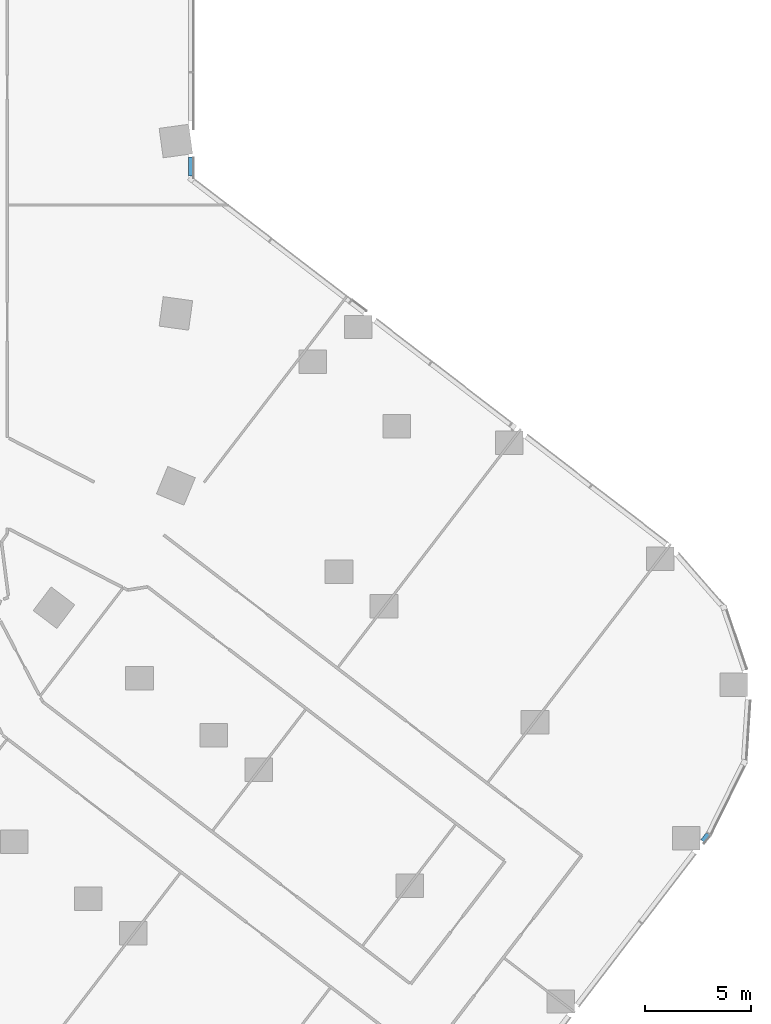
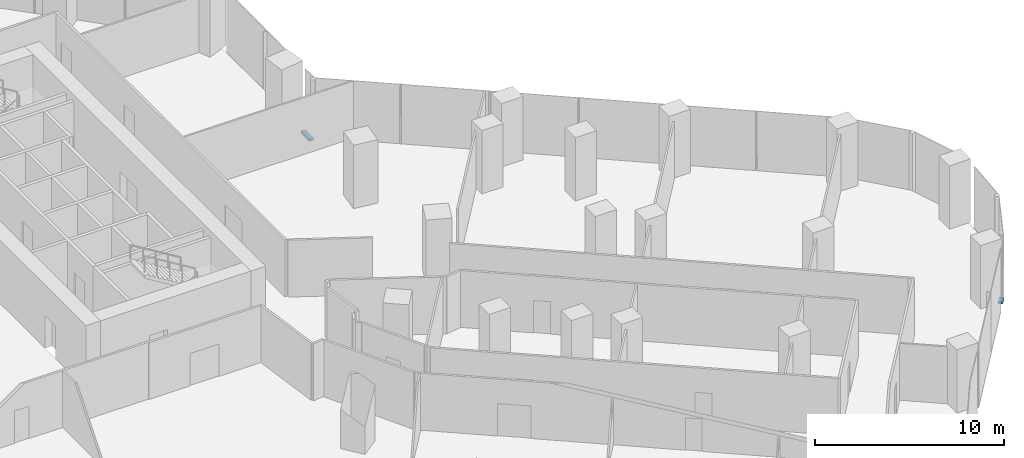
# One storey, part 13 of 29: 2 members, 2 elements without a shape of their own.
"""IFC4 building model written with IfcOpenShell, lengths in metres."""

from ifc_helpers import new_model, si_unit, direction, frame, origin, origin_2d, place, context, subcontext, project, spatial, rectangle, extrude, material, material_profile, profile_set, type_object, element, aggregate, save


model = new_model("IFC4")

# Units and contexts
model_context = context("Model", 3, precision=1e-05, world=origin(), true_north=direction((0.0, 1.0)))
body_context = subcontext(model_context, "Body", "Model", "MODEL_VIEW")
ifc_project = project(units=[si_unit("LENGTHUNIT", "METRE"), si_unit("AREAUNIT", "SQUARE_METRE"), si_unit("VOLUMEUNIT", "CUBIC_METRE"), si_unit("PLANEANGLEUNIT", "RADIAN"), si_unit("MASSUNIT", "GRAM", prefix="KILO")], contexts=[model_context])

# Site, building, storey
site_placement = place(None, origin())
site = spatial("IfcSite", under=ifc_project, at=site_placement, CompositionType="ELEMENT")
building_placement = place(site_placement, origin())
building = spatial("IfcBuilding", under=site, at=building_placement, Name="Orlundy Tower", CompositionType="ELEMENT")
storey_placement = place(building_placement, frame((0.0, 0.0, 25.10009765625)))
storey = spatial("IfcBuildingStorey", under=building, at=storey_placement, Name="L04", CompositionType="ELEMENT", Elevation=25.10009765625)

# Curtain wall, member
ifc_material_1 = material(Name="Aluminium bronze anodised", Category="aluminium")
curtain_wall_type = type_object("IfcCurtainWallType", Name="CW2 wall", PredefinedType="NOTDEFINED", material=ifc_material_1)
curtain_wall_1_placement = place(storey_placement, origin())
curtain_wall_1 = element("IfcCurtainWall", 1, at=curtain_wall_1_placement, inside=storey, type_object=curtain_wall_type, Name="CW2 run 017", PredefinedType="NOTDEFINED")
ifc_material_2 = material(Name="Aluminium bronze anodised", Category="aluminium")
ifc_material_profile = material_profile(ifc_material_2, rectangle(XDim=0.25, YDim=0.14990234375, at=origin_2d()), Name="CW2 transom 250x150")
ifc_profile_set = profile_set([ifc_material_profile], Name="Aluminium bronze anodised")
member_type = type_object("IfcMemberType", Name="CW2 transom 250x150", PredefinedType="USERDEFINED", material=ifc_profile_set)
member_1_placement = place(storey_placement, frame((30.125, 3.301025390625, -0.34521484375), z_axis=(0.0, -1.0, 0.0), x_axis=(1.0, 0.0, 0.0)))
member_1 = element("IfcMember", 2, at=member_1_placement, type_object=member_type, Name="CW2 transom", ObjectType="TRANSOM", PredefinedType="USERDEFINED", context=body_context, shape_type="SweptSolid", body=[
    extrude(rectangle(XDim=0.25, YDim=0.14990234375, at=origin_2d()), origin(), (0.0, 0.0, 1.0), 0.891845703125),
])
aggregate(curtain_wall_1, [member_1])

curtain_wall_2_placement = place(storey_placement, origin())
curtain_wall_2 = element("IfcCurtainWall", 3, at=curtain_wall_2_placement, inside=storey, type_object=curtain_wall_type, Name="CW2 run 023", PredefinedType="NOTDEFINED")
member_2_placement = place(storey_placement, frame((54.4814453125, -28.586181640625, -0.34521484375), z_axis=(-0.608750379399, -0.793361818833, 0.0), x_axis=(0.793361818833, -0.608750379399, 0.0)))
member_2 = element("IfcMember", 4, at=member_2_placement, type_object=member_type, Name="CW2 transom", ObjectType="TRANSOM", PredefinedType="USERDEFINED", context=body_context, shape_type="SweptSolid", body=[
    extrude(rectangle(XDim=0.25, YDim=0.14990234375, at=origin_2d()), origin(), (0.0, 0.0, 1.0), 0.41796875),
])
aggregate(curtain_wall_2, [member_2])

save(model, "model.ifc")
